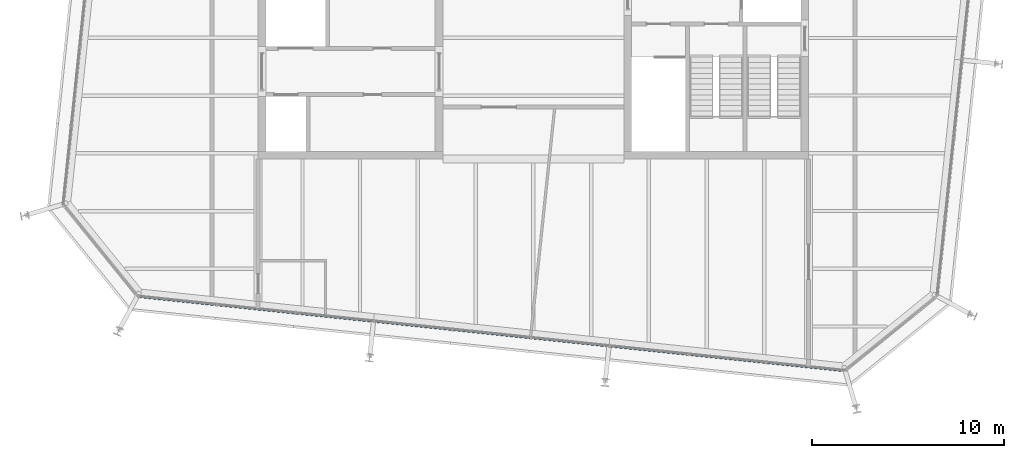
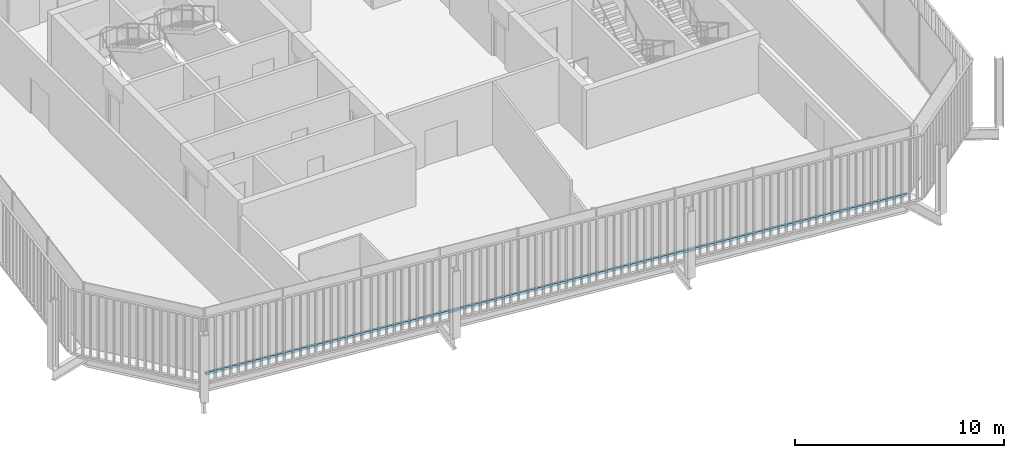
# One storey, part 4 of 19: 1 member, 1 element without a shape of its own.
"""IFC4 building model written with IfcOpenShell, lengths in metres."""

from ifc_helpers import new_model, si_unit, direction, frame, origin, origin_2d, place, context, subcontext, project, spatial, rectangle, extrude, material, layer, layer_set, material_profile, profile_set, type_object, element, aggregate, save


model = new_model("IFC4")

# Units and contexts
model_context = context("Model", 3, precision=1e-05, world=origin(), true_north=direction((0.0, 1.0)))
body_context = subcontext(model_context, "Body", "Model", "MODEL_VIEW")
ifc_project = project(units=[si_unit("LENGTHUNIT", "METRE"), si_unit("AREAUNIT", "SQUARE_METRE"), si_unit("VOLUMEUNIT", "CUBIC_METRE"), si_unit("PLANEANGLEUNIT", "RADIAN"), si_unit("MASSUNIT", "GRAM", prefix="KILO")], contexts=[model_context])

# Site, building, storey
site_placement = place(None, origin())
site = spatial("IfcSite", under=ifc_project, at=site_placement, CompositionType="ELEMENT")
building_placement = place(site_placement, origin())
building = spatial("IfcBuilding", under=site, at=building_placement, Name="Millrace Tower", CompositionType="ELEMENT")
storey_placement = place(building_placement, frame((0.0, 0.0, 338.199951171875)))
storey = spatial("IfcBuildingStorey", under=building, at=storey_placement, Name="L78", CompositionType="ELEMENT", Elevation=338.199951171875)

# Curtain wall, member
ifc_material_1 = material(Name="Aluminium and glass", Category="aluminium")
ifc_layer = layer(ifc_material_1, 0.14990234375)
ifc_layer_set = layer_set([ifc_layer], Name="Aluminium and glass")
curtain_wall_type = type_object("IfcCurtainWallType", Name="CW-1 office vision curtain wall", PredefinedType="NOTDEFINED", material=ifc_layer_set)
curtain_wall_placement = place(storey_placement, origin())
curtain_wall = element("IfcCurtainWall", 1, at=curtain_wall_placement, inside=storey, type_object=curtain_wall_type, Name="Curtain wall E-F02 L78", PredefinedType="NOTDEFINED")
ifc_material_2 = material(Name="Aluminium", Category="aluminium")
ifc_material_profile = material_profile(ifc_material_2, rectangle(XDim=0.14990234375, YDim=0.139892578125, at=origin_2d()))
ifc_profile_set = profile_set([ifc_material_profile], Name="Aluminium")
member_type = type_object("IfcMemberType", Name="CW-1 office vision curtain wall transom", PredefinedType="USERDEFINED", material=ifc_profile_set)
member_placement = place(storey_placement, frame((-20.435302734375, -16.431884765625, 0.070068359375), z_axis=(0.994521952886, -0.104527916025, 0.0), x_axis=(0.104527916025, 0.994521952886, 0.0)))
member = element("IfcMember", 2, at=member_placement, type_object=member_type, Name="CW1 transom E-F02.1", ObjectType="TRANSOM", PredefinedType="USERDEFINED", context=body_context, shape_type="SweptSolid", body=[
    extrude(rectangle(XDim=0.14990234375, YDim=0.139892578125, at=origin_2d()), origin(), (0.0, 0.0, 1.0), 36.699951171875),
])
aggregate(curtain_wall, [member])

save(model, "model.ifc")
